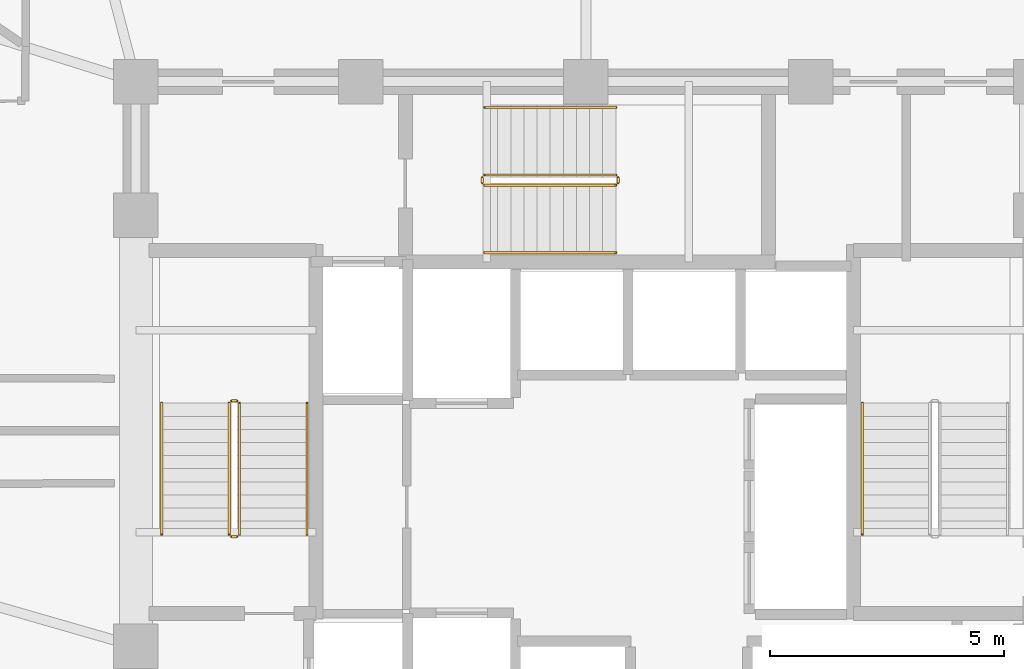
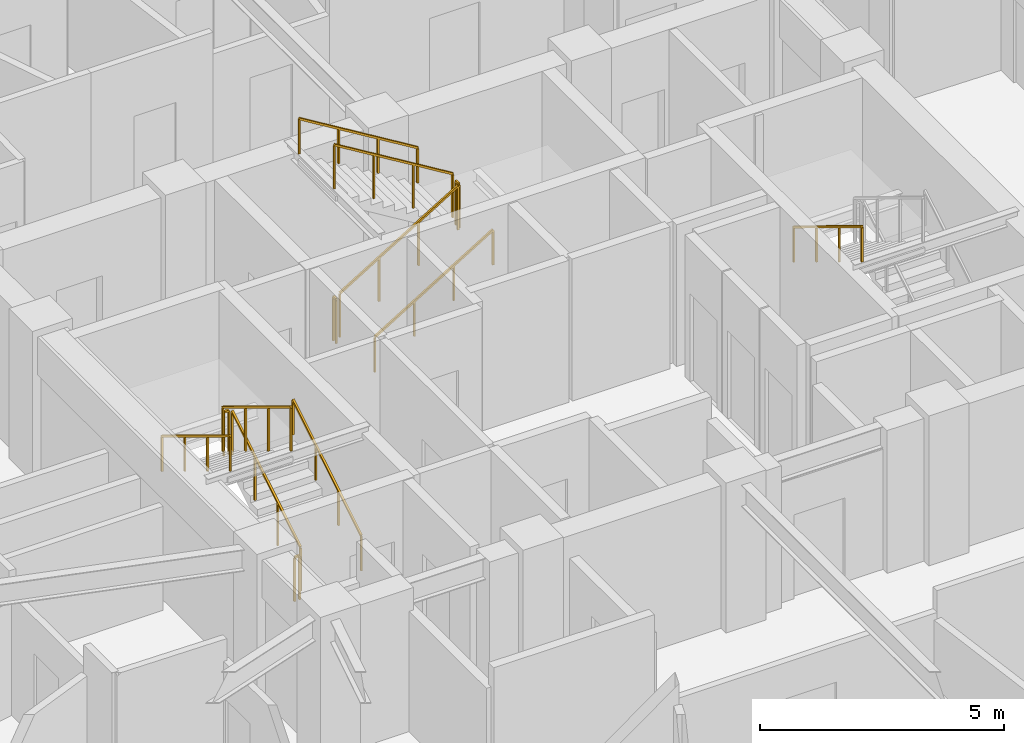
# One storey, part 30 of 32: 13 railings.
"""IFC4 building model written with IfcOpenShell, lengths in metres."""

import ifcopenshell
import ifcopenshell.guid

model = None  # the IFC model being written
_history = None  # IfcOwnerHistory: only IFC2X3 demands one
_inside = {}  # id of a spatial element -> (the spatial element, [elements in it])
_under = {}  # id of a project, library or spatial element -> (it, [spatial elements below it])
_declared = {}  # id of a project -> (the project, [libraries it declares])
_typed = {}  # id of a type object -> (the type object, [elements of that type])
_made_of = {}  # id of a material, layer set ... -> (it, [elements and type objects made of it])


def new_model(schema):
    """Start an empty IFC model of exactly this schema.

    Asked for "IFC4X3", IfcOpenShell would pick the latest addendum, in which some entities
    have other attributes; the version numbers below select the first issue.
    IFC2X3 requires an IfcOwnerHistory on every rooted entity: one is made here for all.
    """
    global model, _history
    if schema == "IFC4X3":
        model = ifcopenshell.file(schema_version=(4, 3, 0, 0))
    else:
        model = ifcopenshell.file(schema=schema)
    _inside.clear()
    _under.clear()
    _declared.clear()
    _typed.clear()
    _made_of.clear()
    _history = None
    if model.schema == "IFC2X3":
        org = make("IfcOrganization", Name="unknown")
        user = make(
            "IfcPersonAndOrganization",
            ThePerson=make("IfcPerson", FamilyName="unknown"),
            TheOrganization=org,
        )
        app = make(
            "IfcApplication",
            ApplicationDeveloper=org,
            Version="unknown",
            ApplicationFullName="unknown",
            ApplicationIdentifier="unknown",
        )
        _history = make(
            "IfcOwnerHistory",
            OwningUser=user,
            OwningApplication=app,
            ChangeAction="ADDED",
            CreationDate=0,
        )
    return model


def make(cls, **values):
    """One entity of the class cls with the attributes given. An attribute that is None is left unset."""
    return model.create_entity(
        cls, **{name: value for name, value in values.items() if value is not None}
    )


def rooted(cls, **values):
    """An entity with a GlobalId (a new one), such as an element, a storey or a relation."""
    return make(cls, GlobalId=ifcopenshell.guid.new(), OwnerHistory=_history, **values)


def si_unit(unit_type, name, prefix=None):
    """IfcSIUnit, for example si_unit("LENGTHUNIT", "METRE", prefix="MILLI")."""
    return make("IfcSIUnit", UnitType=unit_type, Prefix=prefix, Name=name)


def assignment(units):
    """IfcUnitAssignment: the units of a project."""
    return None if units is None else make("IfcUnitAssignment", Units=units)


def point(xyz):
    """IfcCartesianPoint."""
    return None if xyz is None else make("IfcCartesianPoint", Coordinates=xyz)


def direction(xyz):
    """IfcDirection."""
    return None if xyz is None else make("IfcDirection", DirectionRatios=xyz)


def frame(location, z_axis=None, x_axis=None):
    """IfcAxis2Placement3D, a coordinate frame: its origin and axes. An axis left out is left unset."""
    return make(
        "IfcAxis2Placement3D",
        Location=point(location),
        Axis=direction(z_axis),
        RefDirection=direction(x_axis),
    )


def frame_2d(location, x_axis=None):
    """IfcAxis2Placement2D, a coordinate frame in the plane: its origin and x axis."""
    return make(
        "IfcAxis2Placement2D", Location=point(location), RefDirection=direction(x_axis)
    )


def origin():
    """The frame at (0, 0, 0) with its axes left unset."""
    return frame((0.0, 0.0, 0.0))


def origin_2d():
    """The frame at (0, 0) in the plane with its x axis left unset."""
    return frame_2d((0.0, 0.0))


def place(relative_to, where):
    """IfcLocalPlacement: puts the frame where relative to a parent placement (None: the world)."""
    return make(
        "IfcLocalPlacement", PlacementRelTo=relative_to, RelativePlacement=where
    )


def context(
    kind, dimensions, precision=None, world=None, true_north=None, identifier=None
):
    """IfcGeometricRepresentationContext, for example the 3D "Model" context."""
    return make(
        "IfcGeometricRepresentationContext",
        ContextIdentifier=identifier,
        ContextType=kind,
        CoordinateSpaceDimension=dimensions,
        Precision=precision,
        WorldCoordinateSystem=world,
        TrueNorth=true_north,
    )


def subcontext(parent, identifier, kind, view, scale=None):
    """IfcGeometricRepresentationSubContext, for example "Body" below "Model"."""
    return make(
        "IfcGeometricRepresentationSubContext",
        ContextIdentifier=identifier,
        ContextType=kind,
        ParentContext=parent,
        TargetScale=scale,
        TargetView=view,
    )


def project(units=None, contexts=None):
    """IfcProject with its units and contexts."""
    return rooted(
        "IfcProject",
        Name="project",
        RepresentationContexts=contexts,
        UnitsInContext=assignment(units),
    )


def spatial(cls, under=None, at=None, **own):
    """A site, building, storey or space (cls), placed at a placement, below another one or the project."""
    s = rooted(cls, ObjectPlacement=at, **own)
    if under is not None:
        _under.setdefault(under.id(), (under, []))[1].append(s)
    return s


def profile(cls, at=None, kind="AREA", **sizes):
    """A parametric profile (cls). Its sizes go by their IFC names, for example OverallWidth=200.0."""
    return make(cls, ProfileType=kind, Position=at, **sizes)


def rectangle(**sizes):
    """IfcRectangleProfileDef."""
    return profile("IfcRectangleProfileDef", **sizes)


def extrude(swept, where, along, depth):
    """IfcExtrudedAreaSolid: the profile swept, set in the frame where, extruded along a direction by depth."""
    return make(
        "IfcExtrudedAreaSolid",
        SweptArea=swept,
        Position=where,
        ExtrudedDirection=direction(along),
        Depth=depth,
    )


def shape(context_of_items, identifier, shape_type, items):
    """IfcShapeRepresentation: the items that make up one representation, for example the "Body"."""
    return make(
        "IfcShapeRepresentation",
        ContextOfItems=context_of_items,
        RepresentationIdentifier=identifier,
        RepresentationType=shape_type,
        Items=items,
    )


def material(Name=None, Category=None):
    """IfcMaterial."""
    return make("IfcMaterial", Name=Name, Category=Category)


def made_of(thing, what):
    """Note that an element or type object is made of a material, layer set ...; save() writes the relation."""
    if what is not None:
        _made_of.setdefault(what.id(), (what, []))[1].append(thing)
    return thing


def type_object(cls, material=None, **own):
    """A type object (cls), such as IfcWallType, which elements share."""
    return made_of(rooted(cls, **own), material)


def element(
    cls,
    number,
    at=None,
    inside=None,
    cuts=None,
    type_object=None,
    material=None,
    context=None,
    identifier="Body",
    shape_type=None,
    held_by="IfcProductDefinitionShape",
    body=None,
    shapes=None,
    **own,
):
    """One element of the class cls, such as IfcWall. Its Tag is "e" and its number.

    at: its placement. inside: the storey or other place that contains it. cuts: it is an
    opening in that element (IfcRelVoidsElement). A single representation is given by context,
    identifier, shape_type and body (its items); several are given by shapes. held_by: the class
    of the entity that holds the representations. save() writes the other relations.
    """
    e = rooted(cls, Tag="e%d" % number, ObjectPlacement=at, **own)
    if body is not None:
        shapes = [shape(context, identifier, shape_type, body)]
    if shapes is not None:
        e.Representation = make(held_by, Representations=shapes)
    if inside is not None:
        _inside.setdefault(inside.id(), (inside, []))[1].append(e)
    if cuts is not None:
        rooted(
            "IfcRelVoidsElement", RelatingBuildingElement=cuts, RelatedOpeningElement=e
        )
    if type_object is not None:
        _typed.setdefault(type_object.id(), (type_object, []))[1].append(e)
    return made_of(e, material)


def aggregate(whole, parts):
    """IfcRelAggregates: a whole, such as a stair, and the parts it consists of."""
    return rooted("IfcRelAggregates", RelatingObject=whole, RelatedObjects=parts)


def save(model, path):
    """Write the relations noted so far, then the file.

    IfcRelAggregates (storeys below a building ...), IfcRelContainedInSpatialStructure (elements
    in a storey), IfcRelDefinesByType, IfcRelAssociatesMaterial and IfcRelDeclares: one each for
    every whole, place, type object, material and project.
    """
    for whole, parts in _under.values():
        aggregate(whole, parts)
    for where, things in _inside.values():
        rooted(
            "IfcRelContainedInSpatialStructure",
            RelatedElements=things,
            RelatingStructure=where,
        )
    for kind, things in _typed.values():
        rooted("IfcRelDefinesByType", RelatedObjects=things, RelatingType=kind)
    for what, things in _made_of.values():
        rooted("IfcRelAssociatesMaterial", RelatedObjects=things, RelatingMaterial=what)
    for by, libraries in _declared.values():
        rooted("IfcRelDeclares", RelatingContext=by, RelatedDefinitions=libraries)
    model.write(path)


model = new_model("IFC4")

# Units and contexts
model_context = context("Model", 3, precision=1e-05, world=origin(), true_north=direction((0.0, 1.0)))
body_context = subcontext(model_context, "Body", "Model", "MODEL_VIEW")
ifc_project = project(units=[si_unit("LENGTHUNIT", "METRE"), si_unit("AREAUNIT", "SQUARE_METRE"), si_unit("VOLUMEUNIT", "CUBIC_METRE"), si_unit("PLANEANGLEUNIT", "RADIAN"), si_unit("MASSUNIT", "GRAM", prefix="KILO")], contexts=[model_context])

# Site, building, storey
site_placement = place(None, origin())
site = spatial("IfcSite", under=ifc_project, at=site_placement, CompositionType="ELEMENT")
building_placement = place(site_placement, origin())
building = spatial("IfcBuilding", under=site, at=building_placement, Name="Vantalir Tower", CompositionType="ELEMENT")
storey_placement = place(building_placement, frame((0.0, 0.0, 104.699951171875)))
storey = spatial("IfcBuildingStorey", under=building, at=storey_placement, Name="L25", CompositionType="ELEMENT", Elevation=104.699951171875)

# Railings
ifc_material_1 = material(Name="Anodised aluminium and stainless steel guard", Category="steel")
railing_type_1 = type_object("IfcRailingType", Name="RAL-GUARD-1120", PredefinedType="GUARDRAIL", material=ifc_material_1)
railing_1_placement = place(storey_placement, frame((24.110107421875, 22.7900390625, 0.17041015625)))
element("IfcRailing", 1, at=railing_1_placement, inside=storey, type_object=railing_type_1, Name="L25 ST1 stair guard 1", PredefinedType="GUARDRAIL", context=body_context, shape_type="SweptSolid", body=[
    extrude(rectangle(XDim=0.048095703125, YDim=0.048095703125, at=origin_2d()), frame((0.0, 0.0, 1.09619140625), z_axis=(0.0, 0.854169791009, 0.51999420009), x_axis=(-1.0, 0.0, 0.0)), (0.0, 0.0, 1.0), 3.278076171875),
    extrude(rectangle(XDim=0.0419921875, YDim=0.0419921875, at=origin_2d()), origin(), (0.0, 0.0, 1.0), 1.072021484375),
    extrude(rectangle(XDim=0.0419921875, YDim=0.0419921875, at=origin_2d()), frame((0.0, 0.933349609375, 0.568115234375)), (0.0, 0.0, 1.0), 1.072021484375),
    extrude(rectangle(XDim=0.0419921875, YDim=0.0419921875, at=origin_2d()), frame((0.0, 1.86669921875, 1.136474609375)), (0.0, 0.0, 1.0), 1.072021484375),
    extrude(rectangle(XDim=0.0419921875, YDim=0.0419921875, at=origin_2d()), frame((0.0, 2.800048828125, 1.70458984375)), (0.0, 0.0, 1.0), 1.072021484375),
])
railing_2_placement = place(storey_placement, frame((24.06005859375, 25.639892578125, 1.875)))
element("IfcRailing", 2, at=railing_2_placement, inside=storey, type_object=railing_type_1, Name="L25 ST1 stair guard 2", PredefinedType="GUARDRAIL", context=body_context, shape_type="SweptSolid", body=[
    extrude(rectangle(XDim=0.048095703125, YDim=0.048095703125, at=origin_2d()), frame((0.0, 0.0, 1.09619140625), z_axis=(-1.0, 0.0, 0.0), x_axis=(0.0, -1.0, 0.0)), (0.0, 0.0, 1.0), 0.1201171875),
    extrude(rectangle(XDim=0.0419921875, YDim=0.0419921875, at=origin_2d()), origin(), (0.0, 0.0, 1.0), 1.072021484375),
    extrude(rectangle(XDim=0.0419921875, YDim=0.0419921875, at=origin_2d()), frame((-0.1201171875, 0.0, 0.0)), (0.0, 0.0, 1.0), 1.072021484375),
])
railing_3_placement = place(storey_placement, frame((23.889892578125, 25.590087890625, 2.04541015625)))
element("IfcRailing", 3, at=railing_3_placement, inside=storey, type_object=railing_type_1, Name="L25 ST1 stair guard 3", PredefinedType="GUARDRAIL", context=body_context, shape_type="SweptSolid", body=[
    extrude(rectangle(XDim=0.048095703125, YDim=0.048095703125, at=origin_2d()), frame((0.0, 0.0, 1.09619140625), z_axis=(0.0, -0.854169791009, 0.51999420009), x_axis=(1.0, 0.0, 0.0)), (0.0, 0.0, 1.0), 3.278076171875),
    extrude(rectangle(XDim=0.0419921875, YDim=0.0419921875, at=origin_2d()), origin(), (0.0, 0.0, 1.0), 1.072021484375),
    extrude(rectangle(XDim=0.0419921875, YDim=0.0419921875, at=origin_2d()), frame((0.0, -0.933349609375, 0.568115234375)), (0.0, 0.0, 1.0), 1.072021484375),
    extrude(rectangle(XDim=0.0419921875, YDim=0.0419921875, at=origin_2d()), frame((0.0, -1.86669921875, 1.136474609375)), (0.0, 0.0, 1.0), 1.072021484375),
    extrude(rectangle(XDim=0.0419921875, YDim=0.0419921875, at=origin_2d()), frame((0.0, -2.800048828125, 1.70458984375)), (0.0, 0.0, 1.0), 1.072021484375),
])
railing_4_placement = place(storey_placement, frame((24.06005859375, 22.739990234375, 0.0)))
element("IfcRailing", 4, at=railing_4_placement, inside=storey, type_object=railing_type_1, Name="L25 ST1 stair guard 4", PredefinedType="GUARDRAIL", context=body_context, shape_type="SweptSolid", body=[
    extrude(rectangle(XDim=0.048095703125, YDim=0.048095703125, at=origin_2d()), frame((0.0, 0.0, 1.09619140625), z_axis=(-1.0, 0.0, 0.0), x_axis=(0.0, -1.0, 0.0)), (0.0, 0.0, 1.0), 0.1201171875),
    extrude(rectangle(XDim=0.0419921875, YDim=0.0419921875, at=origin_2d()), origin(), (0.0, 0.0, 1.0), 1.072021484375),
    extrude(rectangle(XDim=0.0419921875, YDim=0.0419921875, at=origin_2d()), frame((-0.1201171875, 0.0, 0.0)), (0.0, 0.0, 1.0), 1.072021484375),
])
railing_5_placement = place(storey_placement, frame((29.340087890625, 30.239990234375, 0.17041015625)))
element("IfcRailing", 5, at=railing_5_placement, inside=storey, type_object=railing_type_1, Name="L25 ST3 stair guard 1", PredefinedType="GUARDRAIL", context=body_context, shape_type="SweptSolid", body=[
    extrude(rectangle(XDim=0.048095703125, YDim=0.048095703125, at=origin_2d()), frame((0.0, 0.0, 1.09619140625), z_axis=(0.854149651119, 0.0, 0.520027281489), x_axis=(0.0, 1.0, 0.0)), (0.0, 0.0, 1.0), 3.27783203125),
    extrude(rectangle(XDim=0.0419921875, YDim=0.0419921875, at=origin_2d()), origin(), (0.0, 0.0, 1.0), 1.072021484375),
    extrude(rectangle(XDim=0.0419921875, YDim=0.0419921875, at=origin_2d()), frame((0.933349609375, 0.0, 0.568115234375)), (0.0, 0.0, 1.0), 1.072021484375),
    extrude(rectangle(XDim=0.0419921875, YDim=0.0419921875, at=origin_2d()), frame((1.866455078125, 0.0, 1.136474609375)), (0.0, 0.0, 1.0), 1.072021484375),
    extrude(rectangle(XDim=0.0419921875, YDim=0.0419921875, at=origin_2d()), frame((2.7998046875, 0.0, 1.70458984375)), (0.0, 0.0, 1.0), 1.072021484375),
])
railing_6_placement = place(storey_placement, frame((32.18994140625, 30.2900390625, 1.875)))
element("IfcRailing", 6, at=railing_6_placement, inside=storey, type_object=railing_type_1, Name="L25 ST3 stair guard 2", PredefinedType="GUARDRAIL", context=body_context, shape_type="SweptSolid", body=[
    extrude(rectangle(XDim=0.048095703125, YDim=0.048095703125, at=origin_2d()), frame((0.0, 0.0, 1.09619140625), z_axis=(0.0, 1.0, 0.0), x_axis=(-1.0, 0.0, 0.0)), (0.0, 0.0, 1.0), 0.119873046875),
    extrude(rectangle(XDim=0.0419921875, YDim=0.0419921875, at=origin_2d()), origin(), (0.0, 0.0, 1.0), 1.072021484375),
    extrude(rectangle(XDim=0.0419921875, YDim=0.0419921875, at=origin_2d()), frame((0.0, 0.119873046875, 0.0)), (0.0, 0.0, 1.0), 1.072021484375),
])
railing_7_placement = place(storey_placement, frame((32.139892578125, 30.4599609375, 2.04541015625)))
element("IfcRailing", 7, at=railing_7_placement, inside=storey, type_object=railing_type_1, Name="L25 ST3 stair guard 3", PredefinedType="GUARDRAIL", context=body_context, shape_type="SweptSolid", body=[
    extrude(rectangle(XDim=0.048095703125, YDim=0.048095703125, at=origin_2d()), frame((0.0, 0.0, 1.09619140625), z_axis=(-0.854149651119, 0.0, 0.520027281489), x_axis=(0.0, -1.0, 0.0)), (0.0, 0.0, 1.0), 3.27783203125),
    extrude(rectangle(XDim=0.0419921875, YDim=0.0419921875, at=origin_2d()), origin(), (0.0, 0.0, 1.0), 1.072021484375),
    extrude(rectangle(XDim=0.0419921875, YDim=0.0419921875, at=origin_2d()), frame((-0.933349609375, 0.0, 0.568115234375)), (0.0, 0.0, 1.0), 1.072021484375),
    extrude(rectangle(XDim=0.0419921875, YDim=0.0419921875, at=origin_2d()), frame((-1.866455078125, 0.0, 1.136474609375)), (0.0, 0.0, 1.0), 1.072021484375),
    extrude(rectangle(XDim=0.0419921875, YDim=0.0419921875, at=origin_2d()), frame((-2.7998046875, 0.0, 1.70458984375)), (0.0, 0.0, 1.0), 1.072021484375),
])
railing_8_placement = place(storey_placement, frame((29.2900390625, 30.2900390625, 0.0)))
element("IfcRailing", 8, at=railing_8_placement, inside=storey, type_object=railing_type_1, Name="L25 ST3 stair guard 4", PredefinedType="GUARDRAIL", context=body_context, shape_type="SweptSolid", body=[
    extrude(rectangle(XDim=0.048095703125, YDim=0.048095703125, at=origin_2d()), frame((0.0, 0.0, 1.09619140625), z_axis=(0.0, 1.0, 0.0), x_axis=(-1.0, 0.0, 0.0)), (0.0, 0.0, 1.0), 0.119873046875),
    extrude(rectangle(XDim=0.0419921875, YDim=0.0419921875, at=origin_2d()), origin(), (0.0, 0.0, 1.0), 1.072021484375),
    extrude(rectangle(XDim=0.0419921875, YDim=0.0419921875, at=origin_2d()), frame((0.0, 0.119873046875, 0.0)), (0.0, 0.0, 1.0), 1.072021484375),
])
ifc_material_2 = material(Name="Brushed stainless steel tubular handrail", Category="steel")
railing_type_2 = type_object("IfcRailingType", Name="RAL-HANDRAIL-900", PredefinedType="HANDRAIL", material=ifc_material_2)
railing_9_placement = place(storey_placement, frame((25.550048828125, 22.7900390625, 0.17041015625)))
element("IfcRailing", 9, at=railing_9_placement, inside=storey, type_object=railing_type_2, Name="L25 ST1 stair handrail 1", PredefinedType="HANDRAIL", context=body_context, shape_type="SweptSolid", body=[
    extrude(rectangle(XDim=0.048095703125, YDim=0.048095703125, at=origin_2d()), frame((0.0, 0.0, 0.8759765625), z_axis=(0.0, 0.854169791009, 0.51999420009), x_axis=(-1.0, 0.0, 0.0)), (0.0, 0.0, 1.0), 3.278076171875),
    extrude(rectangle(XDim=0.0419921875, YDim=0.0419921875, at=origin_2d()), origin(), (0.0, 0.0, 1.0), 0.851806640625),
    extrude(rectangle(XDim=0.0419921875, YDim=0.0419921875, at=origin_2d()), frame((0.0, 0.933349609375, 0.568115234375)), (0.0, 0.0, 1.0), 0.851806640625),
    extrude(rectangle(XDim=0.0419921875, YDim=0.0419921875, at=origin_2d()), frame((0.0, 1.86669921875, 1.136474609375)), (0.0, 0.0, 1.0), 0.851806640625),
    extrude(rectangle(XDim=0.0419921875, YDim=0.0419921875, at=origin_2d()), frame((0.0, 2.800048828125, 1.70458984375)), (0.0, 0.0, 1.0), 0.851806640625),
])
for number, where, name in (
    (10, (22.449951171875, 25.590087890625, 2.04541015625), "L25 ST1 stair handrail 2"),
    (11, (37.39990234375, 25.590087890625, 2.04541015625), "L25 ST2 stair handrail 2"),
):
    element("IfcRailing", number, at=place(storey_placement, frame(where)), inside=storey, type_object=railing_type_2, Name=name, PredefinedType="HANDRAIL", context=body_context, shape_type="SweptSolid", body=[
        extrude(rectangle(XDim=0.048095703125, YDim=0.048095703125, at=origin_2d()), frame((0.0, 0.0, 0.8759765625), z_axis=(0.0, -0.854169791009, 0.51999420009), x_axis=(1.0, 0.0, 0.0)), (0.0, 0.0, 1.0), 3.278076171875),
        extrude(rectangle(XDim=0.0419921875, YDim=0.0419921875, at=origin_2d()), origin(), (0.0, 0.0, 1.0), 0.851806640625),
        extrude(rectangle(XDim=0.0419921875, YDim=0.0419921875, at=origin_2d()), frame((0.0, -0.933349609375, 0.568115234375)), (0.0, 0.0, 1.0), 0.851806640625),
        extrude(rectangle(XDim=0.0419921875, YDim=0.0419921875, at=origin_2d()), frame((0.0, -1.86669921875, 1.136474609375)), (0.0, 0.0, 1.0), 0.851806640625),
        extrude(rectangle(XDim=0.0419921875, YDim=0.0419921875, at=origin_2d()), frame((0.0, -2.800048828125, 1.70458984375)), (0.0, 0.0, 1.0), 0.851806640625),
    ])
railing_10_placement = place(storey_placement, frame((29.340087890625, 28.800048828125, 0.17041015625)))
element("IfcRailing", 12, at=railing_10_placement, inside=storey, type_object=railing_type_2, Name="L25 ST3 stair handrail 1", PredefinedType="HANDRAIL", context=body_context, shape_type="SweptSolid", body=[
    extrude(rectangle(XDim=0.048095703125, YDim=0.048095703125, at=origin_2d()), frame((0.0, 0.0, 0.8759765625), z_axis=(0.854149651119, 0.0, 0.520027281489), x_axis=(0.0, 1.0, 0.0)), (0.0, 0.0, 1.0), 3.27783203125),
    extrude(rectangle(XDim=0.0419921875, YDim=0.0419921875, at=origin_2d()), origin(), (0.0, 0.0, 1.0), 0.851806640625),
    extrude(rectangle(XDim=0.0419921875, YDim=0.0419921875, at=origin_2d()), frame((0.933349609375, 0.0, 0.568115234375)), (0.0, 0.0, 1.0), 0.851806640625),
    extrude(rectangle(XDim=0.0419921875, YDim=0.0419921875, at=origin_2d()), frame((1.866455078125, 0.0, 1.136474609375)), (0.0, 0.0, 1.0), 0.851806640625),
    extrude(rectangle(XDim=0.0419921875, YDim=0.0419921875, at=origin_2d()), frame((2.7998046875, 0.0, 1.70458984375)), (0.0, 0.0, 1.0), 0.851806640625),
])
railing_11_placement = place(storey_placement, frame((32.139892578125, 31.89990234375, 2.04541015625)))
element("IfcRailing", 13, at=railing_11_placement, inside=storey, type_object=railing_type_2, Name="L25 ST3 stair handrail 2", PredefinedType="HANDRAIL", context=body_context, shape_type="SweptSolid", body=[
    extrude(rectangle(XDim=0.048095703125, YDim=0.048095703125, at=origin_2d()), frame((0.0, 0.0, 0.8759765625), z_axis=(-0.854149651119, 0.0, 0.520027281489), x_axis=(0.0, -1.0, 0.0)), (0.0, 0.0, 1.0), 3.27783203125),
    extrude(rectangle(XDim=0.0419921875, YDim=0.0419921875, at=origin_2d()), origin(), (0.0, 0.0, 1.0), 0.851806640625),
    extrude(rectangle(XDim=0.0419921875, YDim=0.0419921875, at=origin_2d()), frame((-0.933349609375, 0.0, 0.568115234375)), (0.0, 0.0, 1.0), 0.851806640625),
    extrude(rectangle(XDim=0.0419921875, YDim=0.0419921875, at=origin_2d()), frame((-1.866455078125, 0.0, 1.136474609375)), (0.0, 0.0, 1.0), 0.851806640625),
    extrude(rectangle(XDim=0.0419921875, YDim=0.0419921875, at=origin_2d()), frame((-2.7998046875, 0.0, 1.70458984375)), (0.0, 0.0, 1.0), 0.851806640625),
])

save(model, "model.ifc")
